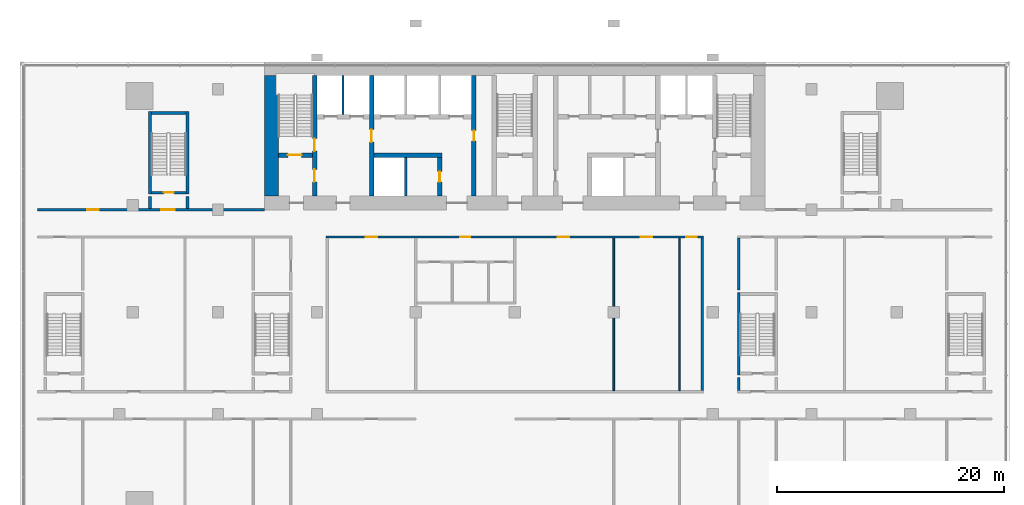
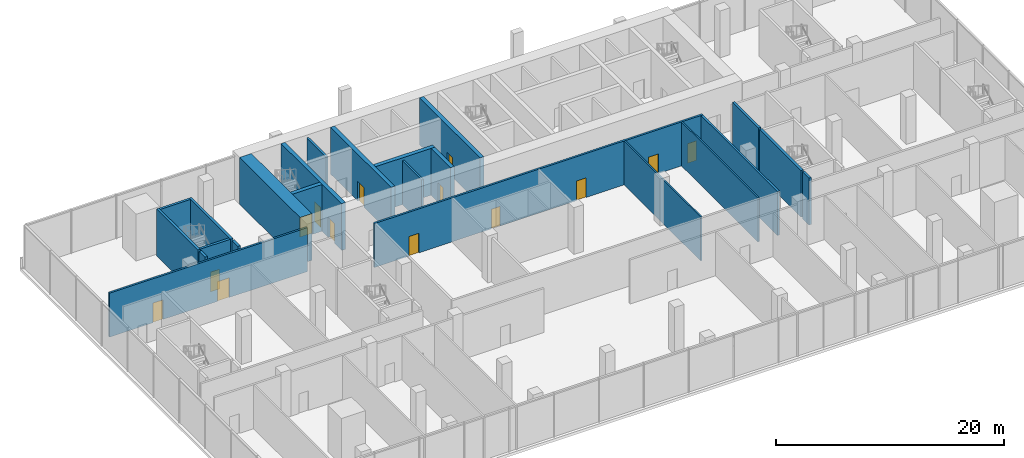
# One storey, part 12 of 20: 23 walls, 14 doors, 14 openings.
"""IFC4 building model written with IfcOpenShell, lengths in metres."""

import ifcopenshell
import ifcopenshell.guid

model = None  # the IFC model being written
_history = None  # IfcOwnerHistory: only IFC2X3 demands one
_inside = {}  # id of a spatial element -> (the spatial element, [elements in it])
_under = {}  # id of a project, library or spatial element -> (it, [spatial elements below it])
_declared = {}  # id of a project -> (the project, [libraries it declares])
_typed = {}  # id of a type object -> (the type object, [elements of that type])
_made_of = {}  # id of a material, layer set ... -> (it, [elements and type objects made of it])


def new_model(schema):
    """Start an empty IFC model of exactly this schema.

    Asked for "IFC4X3", IfcOpenShell would pick the latest addendum, in which some entities
    have other attributes; the version numbers below select the first issue.
    IFC2X3 requires an IfcOwnerHistory on every rooted entity: one is made here for all.
    """
    global model, _history
    if schema == "IFC4X3":
        model = ifcopenshell.file(schema_version=(4, 3, 0, 0))
    else:
        model = ifcopenshell.file(schema=schema)
    _inside.clear()
    _under.clear()
    _declared.clear()
    _typed.clear()
    _made_of.clear()
    _history = None
    if model.schema == "IFC2X3":
        org = make("IfcOrganization", Name="unknown")
        user = make(
            "IfcPersonAndOrganization",
            ThePerson=make("IfcPerson", FamilyName="unknown"),
            TheOrganization=org,
        )
        app = make(
            "IfcApplication",
            ApplicationDeveloper=org,
            Version="unknown",
            ApplicationFullName="unknown",
            ApplicationIdentifier="unknown",
        )
        _history = make(
            "IfcOwnerHistory",
            OwningUser=user,
            OwningApplication=app,
            ChangeAction="ADDED",
            CreationDate=0,
        )
    return model


def make(cls, **values):
    """One entity of the class cls with the attributes given. An attribute that is None is left unset."""
    return model.create_entity(
        cls, **{name: value for name, value in values.items() if value is not None}
    )


def rooted(cls, **values):
    """An entity with a GlobalId (a new one), such as an element, a storey or a relation."""
    return make(cls, GlobalId=ifcopenshell.guid.new(), OwnerHistory=_history, **values)


def si_unit(unit_type, name, prefix=None):
    """IfcSIUnit, for example si_unit("LENGTHUNIT", "METRE", prefix="MILLI")."""
    return make("IfcSIUnit", UnitType=unit_type, Prefix=prefix, Name=name)


def assignment(units):
    """IfcUnitAssignment: the units of a project."""
    return None if units is None else make("IfcUnitAssignment", Units=units)


def point(xyz):
    """IfcCartesianPoint."""
    return None if xyz is None else make("IfcCartesianPoint", Coordinates=xyz)


def direction(xyz):
    """IfcDirection."""
    return None if xyz is None else make("IfcDirection", DirectionRatios=xyz)


def frame(location, z_axis=None, x_axis=None):
    """IfcAxis2Placement3D, a coordinate frame: its origin and axes. An axis left out is left unset."""
    return make(
        "IfcAxis2Placement3D",
        Location=point(location),
        Axis=direction(z_axis),
        RefDirection=direction(x_axis),
    )


def frame_2d(location, x_axis=None):
    """IfcAxis2Placement2D, a coordinate frame in the plane: its origin and x axis."""
    return make(
        "IfcAxis2Placement2D", Location=point(location), RefDirection=direction(x_axis)
    )


def origin():
    """The frame at (0, 0, 0) with its axes left unset."""
    return frame((0.0, 0.0, 0.0))


def place(relative_to, where):
    """IfcLocalPlacement: puts the frame where relative to a parent placement (None: the world)."""
    return make(
        "IfcLocalPlacement", PlacementRelTo=relative_to, RelativePlacement=where
    )


def context(
    kind, dimensions, precision=None, world=None, true_north=None, identifier=None
):
    """IfcGeometricRepresentationContext, for example the 3D "Model" context."""
    return make(
        "IfcGeometricRepresentationContext",
        ContextIdentifier=identifier,
        ContextType=kind,
        CoordinateSpaceDimension=dimensions,
        Precision=precision,
        WorldCoordinateSystem=world,
        TrueNorth=true_north,
    )


def subcontext(parent, identifier, kind, view, scale=None):
    """IfcGeometricRepresentationSubContext, for example "Body" below "Model"."""
    return make(
        "IfcGeometricRepresentationSubContext",
        ContextIdentifier=identifier,
        ContextType=kind,
        ParentContext=parent,
        TargetScale=scale,
        TargetView=view,
    )


def project(units=None, contexts=None):
    """IfcProject with its units and contexts."""
    return rooted(
        "IfcProject",
        Name="project",
        RepresentationContexts=contexts,
        UnitsInContext=assignment(units),
    )


def spatial(cls, under=None, at=None, **own):
    """A site, building, storey or space (cls), placed at a placement, below another one or the project."""
    s = rooted(cls, ObjectPlacement=at, **own)
    if under is not None:
        _under.setdefault(under.id(), (under, []))[1].append(s)
    return s


def profile(cls, at=None, kind="AREA", **sizes):
    """A parametric profile (cls). Its sizes go by their IFC names, for example OverallWidth=200.0."""
    return make(cls, ProfileType=kind, Position=at, **sizes)


def rectangle(**sizes):
    """IfcRectangleProfileDef."""
    return profile("IfcRectangleProfileDef", **sizes)


def extrude(swept, where, along, depth):
    """IfcExtrudedAreaSolid: the profile swept, set in the frame where, extruded along a direction by depth."""
    return make(
        "IfcExtrudedAreaSolid",
        SweptArea=swept,
        Position=where,
        ExtrudedDirection=direction(along),
        Depth=depth,
    )


def shape(context_of_items, identifier, shape_type, items):
    """IfcShapeRepresentation: the items that make up one representation, for example the "Body"."""
    return make(
        "IfcShapeRepresentation",
        ContextOfItems=context_of_items,
        RepresentationIdentifier=identifier,
        RepresentationType=shape_type,
        Items=items,
    )


def material(Name=None, Category=None):
    """IfcMaterial."""
    return make("IfcMaterial", Name=Name, Category=Category)


def layer(
    of_material, thickness, ventilated=None, Name=None, Category=None, Priority=None
):
    """IfcMaterialLayer: one layer of a wall or slab, of a material (None: an air gap)."""
    return make(
        "IfcMaterialLayer",
        Material=of_material,
        LayerThickness=thickness,
        IsVentilated=ventilated,
        Name=Name,
        Category=Category,
        Priority=Priority,
    )


def layer_set(layers, Name=None):
    """IfcMaterialLayerSet."""
    return make("IfcMaterialLayerSet", MaterialLayers=layers, LayerSetName=Name)


def made_of(thing, what):
    """Note that an element or type object is made of a material, layer set ...; save() writes the relation."""
    if what is not None:
        _made_of.setdefault(what.id(), (what, []))[1].append(thing)
    return thing


def type_object(cls, material=None, **own):
    """A type object (cls), such as IfcWallType, which elements share."""
    return made_of(rooted(cls, **own), material)


def element(
    cls,
    number,
    at=None,
    inside=None,
    cuts=None,
    type_object=None,
    material=None,
    context=None,
    identifier="Body",
    shape_type=None,
    held_by="IfcProductDefinitionShape",
    body=None,
    shapes=None,
    **own,
):
    """One element of the class cls, such as IfcWall. Its Tag is "e" and its number.

    at: its placement. inside: the storey or other place that contains it. cuts: it is an
    opening in that element (IfcRelVoidsElement). A single representation is given by context,
    identifier, shape_type and body (its items); several are given by shapes. held_by: the class
    of the entity that holds the representations. save() writes the other relations.
    """
    e = rooted(cls, Tag="e%d" % number, ObjectPlacement=at, **own)
    if body is not None:
        shapes = [shape(context, identifier, shape_type, body)]
    if shapes is not None:
        e.Representation = make(held_by, Representations=shapes)
    if inside is not None:
        _inside.setdefault(inside.id(), (inside, []))[1].append(e)
    if cuts is not None:
        rooted(
            "IfcRelVoidsElement", RelatingBuildingElement=cuts, RelatedOpeningElement=e
        )
    if type_object is not None:
        _typed.setdefault(type_object.id(), (type_object, []))[1].append(e)
    return made_of(e, material)


def fill(opening, filler):
    """IfcRelFillsElement: the door or window that sits in an opening."""
    return rooted(
        "IfcRelFillsElement",
        RelatingOpeningElement=opening,
        RelatedBuildingElement=filler,
    )


def aggregate(whole, parts):
    """IfcRelAggregates: a whole, such as a stair, and the parts it consists of."""
    return rooted("IfcRelAggregates", RelatingObject=whole, RelatedObjects=parts)


def save(model, path):
    """Write the relations noted so far, then the file.

    IfcRelAggregates (storeys below a building ...), IfcRelContainedInSpatialStructure (elements
    in a storey), IfcRelDefinesByType, IfcRelAssociatesMaterial and IfcRelDeclares: one each for
    every whole, place, type object, material and project.
    """
    for whole, parts in _under.values():
        aggregate(whole, parts)
    for where, things in _inside.values():
        rooted(
            "IfcRelContainedInSpatialStructure",
            RelatedElements=things,
            RelatingStructure=where,
        )
    for kind, things in _typed.values():
        rooted("IfcRelDefinesByType", RelatedObjects=things, RelatingType=kind)
    for what, things in _made_of.values():
        rooted("IfcRelAssociatesMaterial", RelatedObjects=things, RelatingMaterial=what)
    for by, libraries in _declared.values():
        rooted("IfcRelDeclares", RelatingContext=by, RelatedDefinitions=libraries)
    model.write(path)


model = new_model("IFC4")

# Units and contexts
model_context = context("Model", 3, precision=1e-05, world=origin(), true_north=direction((0.0, 1.0)))
body_context = subcontext(model_context, "Body", "Model", "MODEL_VIEW")
ifc_project = project(units=[si_unit("LENGTHUNIT", "METRE"), si_unit("AREAUNIT", "SQUARE_METRE"), si_unit("VOLUMEUNIT", "CUBIC_METRE"), si_unit("PLANEANGLEUNIT", "RADIAN"), si_unit("MASSUNIT", "GRAM", prefix="KILO")], contexts=[model_context])

# Site, building, storey
site_placement = place(None, origin())
site = spatial("IfcSite", under=ifc_project, at=site_placement, CompositionType="ELEMENT")
building_placement = place(site_placement, origin())
building = spatial("IfcBuilding", under=site, at=building_placement, Name="Bicima Exchange Tower", CompositionType="ELEMENT")
storey_placement = place(building_placement, frame((0.0, 0.0, 25.0)))
storey = spatial("IfcBuildingStorey", under=building, at=storey_placement, Name="L04", CompositionType="ELEMENT", Elevation=25.0)

# Walls
ifc_material_1 = material(Name="Gypsum board partition")
ifc_layer_1 = layer(ifc_material_1, 0.199951171875)
ifc_layer_set_1 = layer_set([ifc_layer_1], Name="Gypsum board partition")
wall_type_1 = type_object("IfcWallType", Name="Fire-rated gypsum partition 200 EI120", PredefinedType="PARTITIONING", material=ifc_layer_set_1)
for number, where, z_axis, x_axis, name in (
    (1, (-15.10009765625, -4.60009765625, 0.0), (0.0, 0.0, 1.0), (0.0, 1.0, 0.0), "partition wall 9"),
    (2, (-9.60009765625, -11.800048828125, 0.0), (0.0, 0.0, 1.0), (0.0, 1.0, 0.0), "partition wall 11"),
):
    element("IfcWall", number, at=place(storey_placement, frame(where, z_axis=z_axis, x_axis=x_axis)), inside=storey, type_object=wall_type_1, Name=name, PredefinedType="PARTITIONING", context=body_context, shape_type="SweptSolid", body=[
        extrude(rectangle(XDim=3.400146484375, YDim=0.199951171875, at=frame_2d((1.7001953125, 0.0))), origin(), (0.0, 0.0, 1.0), 4.699951171875),
    ])

# Wall, openings, doors
ifc_layer_2 = layer(ifc_material_1, 0.199951171875)
ifc_layer_set_2 = layer_set([ifc_layer_2], Name="Gypsum board partition")
wall_type_2 = type_object("IfcWallType", Name="Fire-rated gypsum partition 200 EI60", PredefinedType="PARTITIONING", material=ifc_layer_set_2)
wall_1_placement = place(storey_placement, frame((-16.60009765625, -15.39990234375, 0.0), z_axis=(0.0, 0.0, 1.0), x_axis=(1.0, 0.0, 0.0)))
wall_1 = element("IfcWall", 3, at=wall_1_placement, inside=storey, type_object=wall_type_2, Name="partition wall 17", PredefinedType="PARTITIONING", context=body_context, shape_type="SweptSolid", body=[
    extrude(rectangle(XDim=33.2001953125, YDim=0.199951171875, at=frame_2d((16.60009765625, 0.0))), origin(), (0.0, 0.0, 1.0), 4.699951171875),
])
opening_1_placement = place(wall_1_placement, frame((3.5, 0.0, 0.0)))
opening_1 = element("IfcOpeningElement", 4, at=opening_1_placement, cuts=wall_1, Name="Opening L04-023", PredefinedType="OPENING", context=body_context, shape_type="SweptSolid", body=[
    extrude(rectangle(XDim=1.0, YDim=2.10009765625, at=frame_2d((0.5, 1.050048828125))), frame((0.0, 0.11181640625, 0.0), z_axis=(0.0, -1.0, 0.0), x_axis=(1.0, 0.0, 0.0)), (0.0, 0.0, 1.0), 0.223876953125),
])
opening_2_placement = place(wall_1_placement, frame((11.800048828125, 0.0, 0.0)))
opening_2 = element("IfcOpeningElement", 5, at=opening_2_placement, cuts=wall_1, Name="Opening L04-025", PredefinedType="OPENING", context=body_context, shape_type="SweptSolid", body=[
    extrude(rectangle(XDim=0.89990234375, YDim=2.10009765625, at=frame_2d((0.449951171875, 1.050048828125))), frame((0.0, 0.11181640625, 0.0), z_axis=(0.0, -1.0, 0.0), x_axis=(1.0, 0.0, 0.0)), (0.0, 0.0, 1.0), 0.223876953125),
])
opening_3_placement = place(wall_1_placement, frame((20.39990234375, 0.0, 0.0)))
opening_3 = element("IfcOpeningElement", 6, at=opening_3_placement, cuts=wall_1, Name="Opening L04-029", PredefinedType="OPENING", context=body_context, shape_type="SweptSolid", body=[
    extrude(rectangle(XDim=1.0, YDim=2.10009765625, at=frame_2d((0.5, 1.050048828125))), frame((0.0, 0.11181640625, 0.0), z_axis=(0.0, -1.0, 0.0), x_axis=(1.0, 0.0, 0.0)), (0.0, 0.0, 1.0), 0.223876953125),
])
opening_4_placement = place(wall_1_placement, frame((27.699951171875, 0.0, 0.0)))
opening_4 = element("IfcOpeningElement", 7, at=opening_4_placement, cuts=wall_1, Name="Opening L04-031", PredefinedType="OPENING", context=body_context, shape_type="SweptSolid", body=[
    extrude(rectangle(XDim=1.0, YDim=2.10009765625, at=frame_2d((0.5, 1.050048828125))), frame((0.0, 0.11181640625, 0.0), z_axis=(0.0, -1.0, 0.0), x_axis=(1.0, 0.0, 0.0)), (0.0, 0.0, 1.0), 0.223876953125),
])
opening_5_placement = place(wall_1_placement, frame((31.699951171875, 0.0, 0.0)))
opening_5 = element("IfcOpeningElement", 8, at=opening_5_placement, cuts=wall_1, Name="Opening L04-033", PredefinedType="OPENING", context=body_context, shape_type="SweptSolid", body=[
    extrude(rectangle(XDim=0.89990234375, YDim=2.10009765625, at=frame_2d((0.449951171875, 1.050048828125))), frame((0.0, 0.11181640625, 0.0), z_axis=(0.0, -1.0, 0.0), x_axis=(1.0, 0.0, 0.0)), (0.0, 0.0, 1.0), 0.223876953125),
])
ifc_material_2 = material(Name="Steel fire door leaf", Category="steel")
door_type_1 = type_object("IfcDoorType", Name="Door 1000 swing FD30S", OperationType="SINGLE_SWING_LEFT", PredefinedType="DOOR", material=ifc_material_2)
door_1_placement = place(opening_1_placement, frame((1.0, 0.0, 0.0), z_axis=(0.0, 0.0, 1.0), x_axis=(-1.0, 0.0, 0.0)))
door_1 = element("IfcDoor", 9, at=door_1_placement, inside=storey, type_object=door_type_1, Name="Door", OperationType="SINGLE_SWING_RIGHT", OverallHeight=2.10009765625, OverallWidth=1.0, PredefinedType="DOOR", context=body_context, shape_type="SweptSolid", body=[
    extrude(rectangle(XDim=1.0, YDim=2.10009765625, at=frame_2d((0.5, 1.050048828125))), frame((0.0, 0.02490234375, 0.0), z_axis=(0.0, -1.0, 0.0), x_axis=(1.0, 0.0, 0.0)), (0.0, 0.0, 1.0), 0.050048828125),
])
fill(opening_1, door_1)
door_2_placement = place(opening_3_placement, frame((1.0, 0.0, 0.0), z_axis=(0.0, 0.0, 1.0), x_axis=(-1.0, 0.0, 0.0)))
door_2 = element("IfcDoor", 10, at=door_2_placement, inside=storey, type_object=door_type_1, Name="Door", OperationType="SINGLE_SWING_RIGHT", OverallHeight=2.10009765625, OverallWidth=1.0, PredefinedType="DOOR", context=body_context, shape_type="SweptSolid", body=[
    extrude(rectangle(XDim=1.0, YDim=2.10009765625, at=frame_2d((0.5, 1.050048828125))), frame((0.0, 0.02490234375, 0.0), z_axis=(0.0, -1.0, 0.0), x_axis=(1.0, 0.0, 0.0)), (0.0, 0.0, 1.0), 0.050048828125),
])
fill(opening_3, door_2)
door_3_placement = place(opening_4_placement, frame((1.0, 0.0, 0.0), z_axis=(0.0, 0.0, 1.0), x_axis=(-1.0, 0.0, 0.0)))
door_3 = element("IfcDoor", 11, at=door_3_placement, inside=storey, type_object=door_type_1, Name="Door", OperationType="SINGLE_SWING_LEFT", OverallHeight=2.10009765625, OverallWidth=1.0, PredefinedType="DOOR", context=body_context, shape_type="SweptSolid", body=[
    extrude(rectangle(XDim=1.0, YDim=2.10009765625, at=frame_2d((0.5, 1.050048828125))), frame((0.0, 0.02490234375, 0.0), z_axis=(0.0, -1.0, 0.0), x_axis=(1.0, 0.0, 0.0)), (0.0, 0.0, 1.0), 0.050048828125),
])
fill(opening_4, door_3)
door_type_2 = type_object("IfcDoorType", Name="Door 900 swing FD30S", OperationType="SINGLE_SWING_LEFT", PredefinedType="DOOR", material=ifc_material_2)
door_4_placement = place(opening_2_placement, frame((0.89990234375, 0.0, 0.0), z_axis=(0.0, 0.0, 1.0), x_axis=(-1.0, 0.0, 0.0)))
door_4 = element("IfcDoor", 12, at=door_4_placement, inside=storey, type_object=door_type_2, Name="Door", OperationType="SINGLE_SWING_LEFT", OverallHeight=2.10009765625, OverallWidth=0.89990234375, PredefinedType="DOOR", context=body_context, shape_type="SweptSolid", body=[
    extrude(rectangle(XDim=0.89990234375, YDim=2.10009765625, at=frame_2d((0.449951171875, 1.050048828125))), frame((0.0, 0.02490234375, 0.0), z_axis=(0.0, -1.0, 0.0), x_axis=(1.0, 0.0, 0.0)), (0.0, 0.0, 1.0), 0.050048828125),
])
fill(opening_2, door_4)
door_5_placement = place(opening_5_placement, frame((0.89990234375, 0.0, 0.0), z_axis=(0.0, 0.0, 1.0), x_axis=(-1.0, 0.0, 0.0)))
door_5 = element("IfcDoor", 13, at=door_5_placement, inside=storey, type_object=door_type_2, Name="Door", OperationType="SINGLE_SWING_RIGHT", OverallHeight=2.10009765625, OverallWidth=0.89990234375, PredefinedType="DOOR", context=body_context, shape_type="SweptSolid", body=[
    extrude(rectangle(XDim=0.89990234375, YDim=2.10009765625, at=frame_2d((0.449951171875, 1.050048828125))), frame((0.0, 0.02490234375, 0.0), z_axis=(0.0, -1.0, 0.0), x_axis=(1.0, 0.0, 0.0)), (0.0, 0.0, 1.0), 0.050048828125),
])
fill(opening_5, door_5)

wall_2_placement = place(storey_placement, frame((-42.0, -13.0, 0.0), z_axis=(0.0, 0.0, 1.0), x_axis=(1.0, 0.0, 0.0)))
wall_2 = element("IfcWall", 14, at=wall_2_placement, inside=storey, type_object=wall_type_2, Name="partition wall 19", PredefinedType="PARTITIONING", context=body_context, shape_type="SweptSolid", body=[
    extrude(rectangle(XDim=20.0, YDim=0.199951171875, at=frame_2d((10.0, 0.0))), origin(), (0.0, 0.0, 1.0), 4.699951171875),
])
opening_6_placement = place(wall_2_placement, frame((10.89990234375, 0.0, 0.0)))
opening_6 = element("IfcOpeningElement", 15, at=opening_6_placement, cuts=wall_2, Name="Opening L04-009", PredefinedType="OPENING", context=body_context, shape_type="SweptSolid", body=[
    extrude(rectangle(XDim=1.199951171875, YDim=2.10009765625, at=frame_2d((0.60009765625, 1.050048828125))), frame((0.0, 0.11181640625, 0.0), z_axis=(0.0, -1.0, 0.0), x_axis=(1.0, 0.0, 0.0)), (0.0, 0.0, 1.0), 0.223876953125),
])
opening_7_placement = place(wall_2_placement, frame((4.39990234375, 0.0, 0.0)))
opening_7 = element("IfcOpeningElement", 16, at=opening_7_placement, cuts=wall_2, Name="Opening L04-013", PredefinedType="OPENING", context=body_context, shape_type="SweptSolid", body=[
    extrude(rectangle(XDim=1.0, YDim=2.10009765625, at=frame_2d((0.5, 1.050048828125))), frame((0.0, 0.11181640625, 0.0), z_axis=(0.0, -1.0, 0.0), x_axis=(1.0, 0.0, 0.0)), (0.0, 0.0, 1.0), 0.223876953125),
])
door_6_placement = place(opening_7_placement, origin())
door_6 = element("IfcDoor", 17, at=door_6_placement, inside=storey, type_object=door_type_1, Name="Door", OperationType="SINGLE_SWING_LEFT", OverallHeight=2.10009765625, OverallWidth=1.0, PredefinedType="DOOR", context=body_context, shape_type="SweptSolid", body=[
    extrude(rectangle(XDim=1.0, YDim=2.10009765625, at=frame_2d((0.5, 1.050048828125))), frame((0.0, 0.02490234375, 0.0), z_axis=(0.0, -1.0, 0.0), x_axis=(1.0, 0.0, 0.0)), (0.0, 0.0, 1.0), 0.050048828125),
])
fill(opening_7, door_6)
door_type_3 = type_object("IfcDoorType", Name="Door 1200 swing FD30S", OperationType="SINGLE_SWING_LEFT", PredefinedType="DOOR", material=ifc_material_2)
door_7_placement = place(opening_6_placement, origin())
door_7 = element("IfcDoor", 18, at=door_7_placement, inside=storey, type_object=door_type_3, Name="Door", OperationType="SINGLE_SWING_RIGHT", OverallHeight=2.10009765625, OverallWidth=1.199951171875, PredefinedType="DOOR", context=body_context, shape_type="SweptSolid", body=[
    extrude(rectangle(XDim=1.199951171875, YDim=2.10009765625, at=frame_2d((0.60009765625, 1.050048828125))), frame((0.0, 0.02490234375, 0.0), z_axis=(0.0, -1.0, 0.0), x_axis=(1.0, 0.0, 0.0)), (0.0, 0.0, 1.0), 0.050048828125),
])
fill(opening_6, door_7)

# Walls
wall_3_placement = place(storey_placement, frame((16.5, -28.89990234375, 0.0), z_axis=(0.0, 0.0, 1.0), x_axis=(0.0, 1.0, 0.0)))
element("IfcWall", 19, at=wall_3_placement, inside=storey, type_object=wall_type_2, Name="partition wall 47", PredefinedType="PARTITIONING", context=body_context, shape_type="SweptSolid", body=[
    extrude(rectangle(XDim=13.39990234375, YDim=0.199951171875, at=frame_2d((6.699951171875, 0.0))), origin(), (0.0, 0.0, 1.0), 4.699951171875),
])
ifc_layer_3 = layer(ifc_material_1, 0.14990234375)
ifc_layer_set_3 = layer_set([ifc_layer_3], Name="Gypsum board partition")
wall_type_3 = type_object("IfcWallType", Name="Gypsum partition 150", PredefinedType="PARTITIONING", material=ifc_layer_set_3)
for number, where, z_axis, x_axis, name in (
    (20, (8.699951171875, -28.89990234375, 0.0), (0.0, 0.0, 1.0), (0.0, 1.0, 0.0), "partition wall 44"),
    (21, (14.5, -28.89990234375, 0.0), (0.0, 0.0, 1.0), (0.0, 1.0, 0.0), "partition wall 46"),
):
    element("IfcWall", number, at=place(storey_placement, frame(where, z_axis=z_axis, x_axis=x_axis)), inside=storey, type_object=wall_type_3, Name=name, PredefinedType="PARTITIONING", context=body_context, shape_type="SweptSolid", body=[
        extrude(rectangle(XDim=13.39990234375, YDim=0.14990234375, at=frame_2d((6.699951171875, 0.0))), origin(), (0.0, 0.0, 1.0), 4.699951171875),
    ])
ifc_material_3 = material(Name="Concrete C60/75", Category="concrete")
ifc_layer_4 = layer(ifc_material_3, 1.199951171875)
ifc_layer_set_4 = layer_set([ifc_layer_4], Name="Concrete C60/75")
wall_type_4 = type_object("IfcWallType", Name="RC core wall 1200 C60/75", PredefinedType="SHEAR", material=ifc_layer_set_4)
wall_4_placement = place(storey_placement, frame((-21.39990234375, -11.800048828125, 0.0), z_axis=(0.0, 0.0, 1.0), x_axis=(0.0, 1.0, 0.0)))
element("IfcWall", 22, at=wall_4_placement, inside=storey, type_object=wall_type_4, Name="Core wall west", PredefinedType="SHEAR", context=body_context, shape_type="SweptSolid", body=[
    extrude(rectangle(XDim=10.60009765625, YDim=1.199951171875, at=frame_2d((5.300048828125, 0.0))), origin(), (0.0, 0.0, 1.0), 5.0),
])
ifc_material_4 = material(Name="Concrete C50/60", Category="concrete")
ifc_layer_5 = layer(ifc_material_4, 0.25)
ifc_layer_set_5 = layer_set([ifc_layer_5], Name="Concrete C50/60")
wall_type_5 = type_object("IfcWallType", Name="RC core wall 250 C50/60", PredefinedType="SHEAR", material=ifc_layer_set_5)
for number, where, z_axis, x_axis, name in (
    (23, (-32.10009765625, -12.89990234375, 0.0), (0.0, 0.0, 1.0), (0.0, 1.0, 0.0), "stair wall 30"),
    (24, (-28.800048828125, -12.89990234375, 0.0), (0.0, 0.0, 1.0), (0.0, 1.0, 0.0), "stair wall 33"),
):
    element("IfcWall", number, at=place(storey_placement, frame(where, z_axis=z_axis, x_axis=x_axis)), inside=storey, type_object=wall_type_5, Name=name, PredefinedType="SHEAR", context=body_context, shape_type="SweptSolid", body=[
        extrude(rectangle(XDim=1.0498046875, YDim=0.25, at=frame_2d((0.52490234375, 0.0))), origin(), (0.0, 0.0, 1.0), 5.0),
    ])
wall_5_placement = place(storey_placement, frame((19.699951171875, -28.89990234375, 0.0), z_axis=(0.0, 0.0, 1.0), x_axis=(0.0, 1.0, 0.0)))
element("IfcWall", 25, at=wall_5_placement, inside=storey, type_object=wall_type_5, Name="stair wall 49", PredefinedType="SHEAR", context=body_context, shape_type="SweptSolid", body=[
    extrude(rectangle(XDim=1.14990234375, YDim=0.25, at=frame_2d((0.574951171875, 0.0))), origin(), (0.0, 0.0, 1.0), 5.0),
])
wall_6_placement = place(storey_placement, frame((19.699951171875, -20.050048828125, 0.0), z_axis=(0.0, 0.0, 1.0), x_axis=(0.0, 1.0, 0.0)))
element("IfcWall", 26, at=wall_6_placement, inside=storey, type_object=wall_type_5, Name="stair wall 49", PredefinedType="SHEAR", context=body_context, shape_type="SweptSolid", body=[
    extrude(rectangle(XDim=4.550048828125, YDim=0.25, at=frame_2d((2.27490234375, 0.0))), origin(), (0.0, 0.0, 1.0), 5.0),
])

# Wall, opening, door
ifc_layer_6 = layer(ifc_material_4, 0.39990234375)
ifc_layer_set_6 = layer_set([ifc_layer_6], Name="Concrete C50/60")
wall_type_6 = type_object("IfcWallType", Name="RC core wall 400 C50/60", PredefinedType="SHEAR", material=ifc_layer_set_6)
wall_7_placement = place(storey_placement, frame((-20.800048828125, -8.199951171875, 0.0), z_axis=(0.0, 0.0, 1.0), x_axis=(1.0, 0.0, 0.0)))
wall_7 = element("IfcWall", 27, at=wall_7_placement, inside=storey, type_object=wall_type_6, Name="stair wall 1", PredefinedType="SHEAR", context=body_context, shape_type="SweptSolid", body=[
    extrude(rectangle(XDim=3.0, YDim=0.39990234375, at=frame_2d((1.5, 0.0))), origin(), (0.0, 0.0, 1.0), 5.0),
])
opening_8_placement = place(wall_7_placement, frame((0.85009765625, 0.0, 0.0)))
opening_8 = element("IfcOpeningElement", 28, at=opening_8_placement, cuts=wall_7, Name="Opening L04-C01", PredefinedType="OPENING", context=body_context, shape_type="SweptSolid", body=[
    extrude(rectangle(XDim=1.199951171875, YDim=2.10009765625, at=frame_2d((0.60009765625, 1.050048828125))), frame((0.0, 0.2119140625, 0.0), z_axis=(0.0, -1.0, 0.0), x_axis=(1.0, 0.0, 0.0)), (0.0, 0.0, 1.0), 0.423828125),
])
door_type_4 = type_object("IfcDoorType", Name="Door 1200 swing FD60S", OperationType="SINGLE_SWING_LEFT", PredefinedType="DOOR", material=ifc_material_2)
door_8_placement = place(opening_8_placement, origin())
door_8 = element("IfcDoor", 29, at=door_8_placement, inside=storey, type_object=door_type_4, Name="Core door", OperationType="SINGLE_SWING_LEFT", OverallHeight=2.10009765625, OverallWidth=1.199951171875, PredefinedType="DOOR", context=body_context, shape_type="SweptSolid", body=[
    extrude(rectangle(XDim=1.199951171875, YDim=2.10009765625, at=frame_2d((0.60009765625, 1.050048828125))), frame((0.0, 0.02490234375, 0.0), z_axis=(0.0, -1.0, 0.0), x_axis=(1.0, 0.0, 0.0)), (0.0, 0.0, 1.0), 0.050048828125),
])
fill(opening_8, door_8)

# Wall, openings, doors
wall_8_placement = place(storey_placement, frame((-17.60009765625, -11.800048828125, 0.0), z_axis=(0.0, 0.0, 1.0), x_axis=(0.0, 1.0, 0.0)))
wall_8 = element("IfcWall", 30, at=wall_8_placement, inside=storey, type_object=wall_type_6, Name="stair wall 8", PredefinedType="SHEAR", context=body_context, shape_type="SweptSolid", body=[
    extrude(rectangle(XDim=10.60009765625, YDim=0.39990234375, at=frame_2d((5.300048828125, 0.0))), origin(), (0.0, 0.0, 1.0), 5.0),
])
opening_9_placement = place(wall_8_placement, frame((1.25, 0.0, 0.0)))
opening_9 = element("IfcOpeningElement", 31, at=opening_9_placement, cuts=wall_8, Name="Opening L04-C02", PredefinedType="OPENING", context=body_context, shape_type="SweptSolid", body=[
    extrude(rectangle(XDim=1.10009765625, YDim=2.10009765625, at=frame_2d((0.550048828125, 1.050048828125))), frame((0.0, 0.2119140625, 0.0), z_axis=(0.0, -1.0, 0.0), x_axis=(1.0, 0.0, 0.0)), (0.0, 0.0, 1.0), 0.423828125),
])
opening_10_placement = place(wall_8_placement, frame((3.949951171875, 0.0, 0.0)))
opening_10 = element("IfcOpeningElement", 32, at=opening_10_placement, cuts=wall_8, Name="Opening L04-C06", PredefinedType="OPENING", context=body_context, shape_type="SweptSolid", body=[
    extrude(rectangle(XDim=1.10009765625, YDim=2.10009765625, at=frame_2d((0.550048828125, 1.050048828125))), frame((0.0, 0.2119140625, 0.0), z_axis=(0.0, -1.0, 0.0), x_axis=(1.0, 0.0, 0.0)), (0.0, 0.0, 1.0), 0.423828125),
])
door_type_5 = type_object("IfcDoorType", Name="Door 1100 swing FD60S", OperationType="SINGLE_SWING_LEFT", PredefinedType="DOOR", material=ifc_material_2)
door_9_placement = place(opening_9_placement, frame((1.10009765625, 0.0, 0.0), z_axis=(0.0, 0.0, 1.0), x_axis=(-1.0, 0.0, 0.0)))
door_9 = element("IfcDoor", 33, at=door_9_placement, inside=storey, type_object=door_type_5, Name="Core door", OperationType="SINGLE_SWING_LEFT", OverallHeight=2.10009765625, OverallWidth=1.10009765625, PredefinedType="DOOR", context=body_context, shape_type="SweptSolid", body=[
    extrude(rectangle(XDim=1.10009765625, YDim=2.10009765625, at=frame_2d((0.550048828125, 1.050048828125))), frame((0.0, 0.02490234375, 0.0), z_axis=(0.0, -1.0, 0.0), x_axis=(1.0, 0.0, 0.0)), (0.0, 0.0, 1.0), 0.050048828125),
])
fill(opening_9, door_9)
door_10_placement = place(opening_10_placement, frame((1.10009765625, 0.0, 0.0), z_axis=(0.0, 0.0, 1.0), x_axis=(-1.0, 0.0, 0.0)))
door_10 = element("IfcDoor", 34, at=door_10_placement, inside=storey, type_object=door_type_5, Name="Core door", OperationType="SINGLE_SWING_LEFT", OverallHeight=2.10009765625, OverallWidth=1.10009765625, PredefinedType="DOOR", context=body_context, shape_type="SweptSolid", body=[
    extrude(rectangle(XDim=1.10009765625, YDim=2.10009765625, at=frame_2d((0.550048828125, 1.050048828125))), frame((0.0, 0.02490234375, 0.0), z_axis=(0.0, -1.0, 0.0), x_axis=(1.0, 0.0, 0.0)), (0.0, 0.0, 1.0), 0.050048828125),
])
fill(opening_10, door_10)

# Wall
ifc_layer_7 = layer(ifc_material_3, 0.39990234375)
ifc_layer_set_7 = layer_set([ifc_layer_7], Name="Concrete C60/75")
wall_type_7 = type_object("IfcWallType", Name="RC core wall 400 C60/75", PredefinedType="SHEAR", material=ifc_layer_set_7)
wall_9_placement = place(storey_placement, frame((-12.39990234375, -8.199951171875, 0.0), z_axis=(0.0, 0.0, 1.0), x_axis=(1.0, 0.0, 0.0)))
element("IfcWall", 35, at=wall_9_placement, inside=storey, type_object=wall_type_7, Name="shear wall 2", PredefinedType="SHEAR", context=body_context, shape_type="SweptSolid", body=[
    extrude(rectangle(XDim=6.0, YDim=0.39990234375, at=frame_2d((3.0, 0.0))), origin(), (0.0, 0.0, 1.0), 5.0),
])

# Wall, opening, door
wall_10_placement = place(storey_placement, frame((-12.60009765625, -11.800048828125, 0.0), z_axis=(0.0, 0.0, 1.0), x_axis=(0.0, 1.0, 0.0)))
wall_10 = element("IfcWall", 36, at=wall_10_placement, inside=storey, type_object=wall_type_7, Name="shear wall 10", PredefinedType="SHEAR", context=body_context, shape_type="SweptSolid", body=[
    extrude(rectangle(XDim=10.60009765625, YDim=0.39990234375, at=frame_2d((5.300048828125, 0.0))), origin(), (0.0, 0.0, 1.0), 5.0),
])
opening_11_placement = place(wall_10_placement, frame((4.75, 0.0, 0.0)))
opening_11 = element("IfcOpeningElement", 37, at=opening_11_placement, cuts=wall_10, Name="Opening L04-C07", PredefinedType="OPENING", context=body_context, shape_type="SweptSolid", body=[
    extrude(rectangle(XDim=1.10009765625, YDim=2.10009765625, at=frame_2d((0.550048828125, 1.050048828125))), frame((0.0, 0.2119140625, 0.0), z_axis=(0.0, -1.0, 0.0), x_axis=(1.0, 0.0, 0.0)), (0.0, 0.0, 1.0), 0.423828125),
])
door_11_placement = place(opening_11_placement, origin())
door_11 = element("IfcDoor", 38, at=door_11_placement, inside=storey, type_object=door_type_5, Name="Core door", OperationType="SINGLE_SWING_LEFT", OverallHeight=2.10009765625, OverallWidth=1.10009765625, PredefinedType="DOOR", context=body_context, shape_type="SweptSolid", body=[
    extrude(rectangle(XDim=1.10009765625, YDim=2.10009765625, at=frame_2d((0.550048828125, 1.050048828125))), frame((0.0, 0.02490234375, 0.0), z_axis=(0.0, -1.0, 0.0), x_axis=(1.0, 0.0, 0.0)), (0.0, 0.0, 1.0), 0.050048828125),
])
fill(opening_11, door_11)

wall_11_placement = place(storey_placement, frame((-6.60009765625, -11.800048828125, 0.0), z_axis=(0.0, 0.0, 1.0), x_axis=(0.0, 1.0, 0.0)))
wall_11 = element("IfcWall", 39, at=wall_11_placement, inside=storey, type_object=wall_type_7, Name="shear wall 13", PredefinedType="SHEAR", context=body_context, shape_type="SweptSolid", body=[
    extrude(rectangle(XDim=3.400146484375, YDim=0.39990234375, at=frame_2d((1.7001953125, 0.0))), origin(), (0.0, 0.0, 1.0), 5.0),
])
opening_12_placement = place(wall_11_placement, frame((1.25, 0.0, 0.0)))
opening_12 = element("IfcOpeningElement", 40, at=opening_12_placement, cuts=wall_11, Name="Opening L04-C15", PredefinedType="OPENING", context=body_context, shape_type="SweptSolid", body=[
    extrude(rectangle(XDim=0.89990234375, YDim=2.10009765625, at=frame_2d((0.449951171875, 1.050048828125))), frame((0.0, 0.2119140625, 0.0), z_axis=(0.0, -1.0, 0.0), x_axis=(1.0, 0.0, 0.0)), (0.0, 0.0, 1.0), 0.423828125),
])
door_12_placement = place(opening_12_placement, origin())
door_12 = element("IfcDoor", 41, at=door_12_placement, inside=storey, type_object=door_type_2, Name="Core door", OperationType="SINGLE_SWING_LEFT", OverallHeight=2.10009765625, OverallWidth=0.89990234375, PredefinedType="DOOR", context=body_context, shape_type="SweptSolid", body=[
    extrude(rectangle(XDim=0.89990234375, YDim=2.10009765625, at=frame_2d((0.449951171875, 1.050048828125))), frame((0.0, 0.02490234375, 0.0), z_axis=(0.0, -1.0, 0.0), x_axis=(1.0, 0.0, 0.0)), (0.0, 0.0, 1.0), 0.050048828125),
])
fill(opening_12, door_12)

wall_12_placement = place(storey_placement, frame((-3.60009765625, -11.800048828125, 0.0), z_axis=(0.0, 0.0, 1.0), x_axis=(0.0, 1.0, 0.0)))
wall_12 = element("IfcWall", 42, at=wall_12_placement, inside=storey, type_object=wall_type_7, Name="shear wall 15", PredefinedType="SHEAR", context=body_context, shape_type="SweptSolid", body=[
    extrude(rectangle(XDim=10.60009765625, YDim=0.39990234375, at=frame_2d((5.300048828125, 0.0))), origin(), (0.0, 0.0, 1.0), 5.0),
])
opening_13_placement = place(wall_12_placement, frame((4.85009765625, 0.0, 0.0)))
opening_13 = element("IfcOpeningElement", 43, at=opening_13_placement, cuts=wall_12, Name="Opening L04-C10", PredefinedType="OPENING", context=body_context, shape_type="SweptSolid", body=[
    extrude(rectangle(XDim=0.89990234375, YDim=2.10009765625, at=frame_2d((0.449951171875, 1.050048828125))), frame((0.0, 0.2119140625, 0.0), z_axis=(0.0, -1.0, 0.0), x_axis=(1.0, 0.0, 0.0)), (0.0, 0.0, 1.0), 0.423828125),
])
door_13_placement = place(opening_13_placement, frame((0.89990234375, 0.0, 0.0), z_axis=(0.0, 0.0, 1.0), x_axis=(-1.0, 0.0, 0.0)))
door_13 = element("IfcDoor", 44, at=door_13_placement, inside=storey, type_object=door_type_2, Name="Core door", OperationType="SINGLE_SWING_LEFT", OverallHeight=2.10009765625, OverallWidth=0.89990234375, PredefinedType="DOOR", context=body_context, shape_type="SweptSolid", body=[
    extrude(rectangle(XDim=0.89990234375, YDim=2.10009765625, at=frame_2d((0.449951171875, 1.050048828125))), frame((0.0, 0.02490234375, 0.0), z_axis=(0.0, -1.0, 0.0), x_axis=(1.0, 0.0, 0.0)), (0.0, 0.0, 1.0), 0.050048828125),
])
fill(opening_13, door_13)

# Walls
ifc_layer_8 = layer(ifc_material_4, 0.25)
ifc_layer_set_8 = layer_set([ifc_layer_8], Name="Concrete C50/60")
wall_type_8 = type_object("IfcWallType", Name="RC stair enclosure wall 250 C50/60", PredefinedType="SHEAR", material=ifc_layer_set_8)
for number, where, z_axis, x_axis, name in (
    (45, (-32.10009765625, -11.625, 0.0), (0.0, 0.0, 1.0), (0.0, 1.0, 0.0), "West end exit stair wall W"),
    (46, (-28.800048828125, -11.625, 0.0), (0.0, 0.0, 1.0), (0.0, 1.0, 0.0), "West end exit stair wall E"),
):
    element("IfcWall", number, at=place(storey_placement, frame(where, z_axis=z_axis, x_axis=x_axis)), inside=storey, type_object=wall_type_8, Name=name, PredefinedType="SHEAR", context=body_context, shape_type="SweptSolid", body=[
        extrude(rectangle(XDim=7.25, YDim=0.25, at=frame_2d((3.625, 0.0))), origin(), (0.0, 0.0, 1.0), 5.0),
    ])

# Wall, opening, door
wall_13_placement = place(storey_placement, frame((-31.97509765625, -11.5, 0.0), z_axis=(0.0, 0.0, 1.0), x_axis=(1.0, 0.0, 0.0)))
wall_13 = element("IfcWall", 47, at=wall_13_placement, inside=storey, type_object=wall_type_8, Name="West end exit stair wall S", PredefinedType="SHEAR", context=body_context, shape_type="SweptSolid", body=[
    extrude(rectangle(XDim=3.050048828125, YDim=0.25, at=frame_2d((1.52490234375, 0.0))), origin(), (0.0, 0.0, 1.0), 5.0),
])
opening_14_placement = place(wall_13_placement, frame((1.10009765625, 0.0, 0.0)))
opening_14 = element("IfcOpeningElement", 48, at=opening_14_placement, cuts=wall_13, Name="Opening L04-010", PredefinedType="OPENING", context=body_context, shape_type="SweptSolid", body=[
    extrude(rectangle(XDim=0.89990234375, YDim=2.10009765625, at=frame_2d((0.449951171875, 1.050048828125))), frame((0.0, 0.136962890625, 0.0), z_axis=(0.0, -1.0, 0.0), x_axis=(1.0, 0.0, 0.0)), (0.0, 0.0, 1.0), 0.27392578125),
])
door_type_6 = type_object("IfcDoorType", Name="Door 900 swing FD60S", OperationType="SINGLE_SWING_LEFT", PredefinedType="DOOR", material=ifc_material_2)
door_14_placement = place(opening_14_placement, origin())
door_14 = element("IfcDoor", 49, at=door_14_placement, inside=storey, type_object=door_type_6, Name="Door", OperationType="SINGLE_SWING_LEFT", OverallHeight=2.10009765625, OverallWidth=0.89990234375, PredefinedType="DOOR", context=body_context, shape_type="SweptSolid", body=[
    extrude(rectangle(XDim=0.89990234375, YDim=2.10009765625, at=frame_2d((0.449951171875, 1.050048828125))), frame((0.0, 0.02490234375, 0.0), z_axis=(0.0, -1.0, 0.0), x_axis=(1.0, 0.0, 0.0)), (0.0, 0.0, 1.0), 0.050048828125),
])
fill(opening_14, door_14)

# Walls
wall_14_placement = place(storey_placement, frame((-31.97509765625, -4.5, 0.0), z_axis=(0.0, 0.0, 1.0), x_axis=(1.0, 0.0, 0.0)))
element("IfcWall", 50, at=wall_14_placement, inside=storey, type_object=wall_type_8, Name="West end exit stair wall N", PredefinedType="SHEAR", context=body_context, shape_type="SweptSolid", body=[
    extrude(rectangle(XDim=3.050048828125, YDim=0.25, at=frame_2d((1.52490234375, 0.0))), origin(), (0.0, 0.0, 1.0), 5.0),
])
wall_15_placement = place(storey_placement, frame((19.699951171875, -27.52490234375, 0.0), z_axis=(0.0, 0.0, 1.0), x_axis=(0.0, 1.0, 0.0)))
element("IfcWall", 51, at=wall_15_placement, inside=storey, type_object=wall_type_8, Name="Podium inner east stair wall W", PredefinedType="SHEAR", context=body_context, shape_type="SweptSolid", body=[
    extrude(rectangle(XDim=7.25, YDim=0.25, at=frame_2d((3.625, 0.0))), origin(), (0.0, 0.0, 1.0), 5.0),
])

save(model, "model.ifc")
